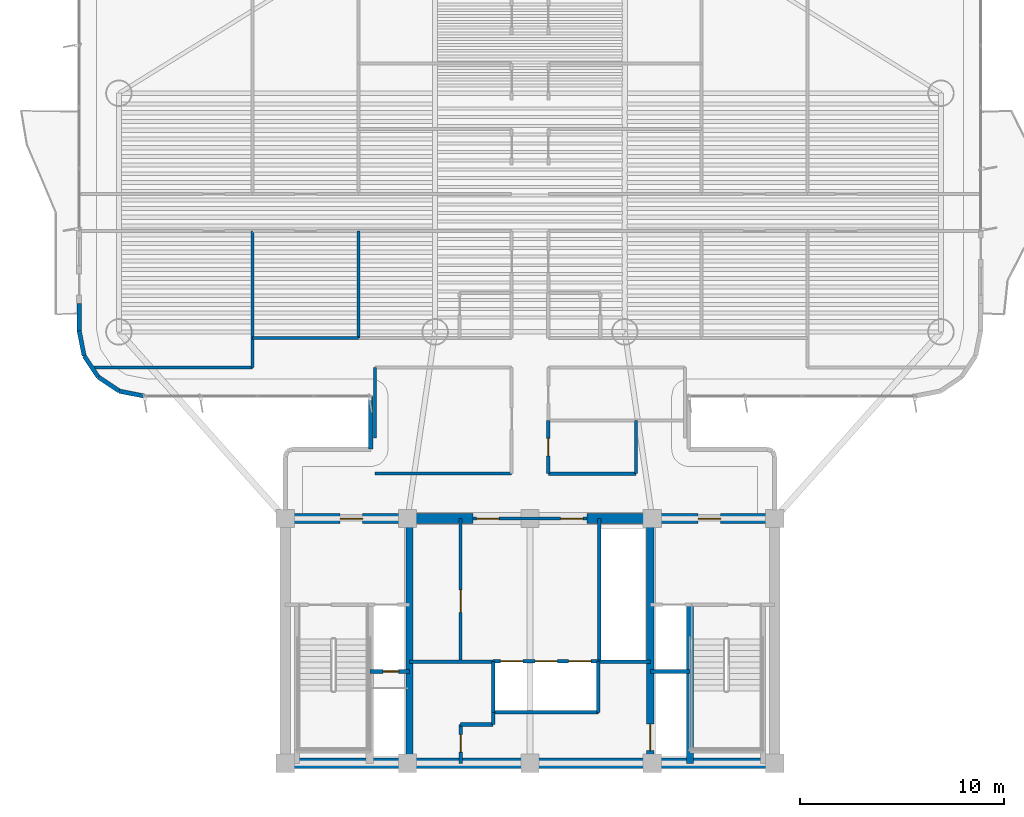
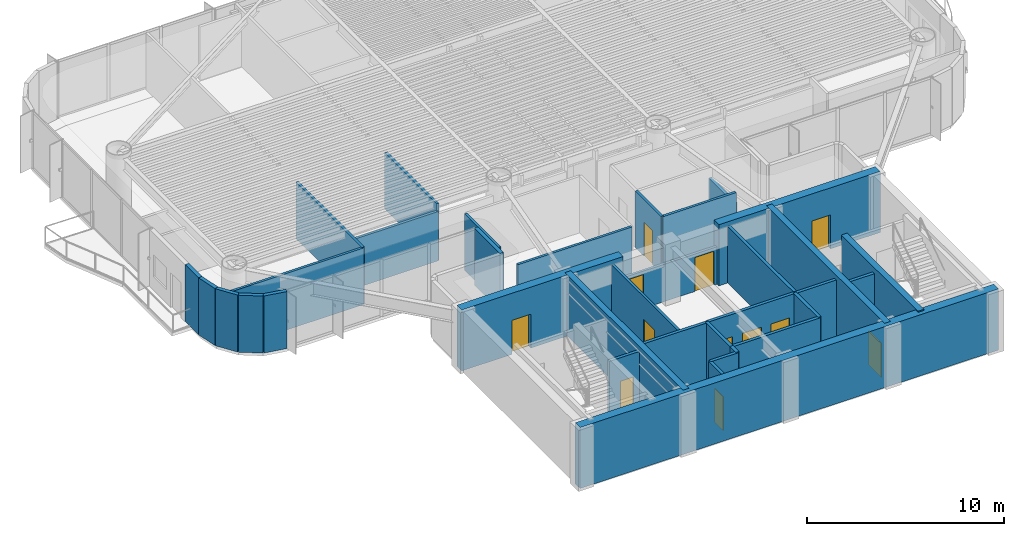
# One storey, part 9 of 16: 35 walls, 12 doors, 12 openings.
"""IFC4 building model written with IfcOpenShell, lengths in metres."""

from ifc_helpers import new_model, si_unit, direction, frame, frame_2d, origin, origin_2d, place, context, subcontext, project, spatial, rectangle, extrude, source, transform, mapped, material, layer, layer_set, type_object, element, fill, save


model = new_model("IFC4")

# Units and contexts
model_context = context("Model", 3, precision=1e-05, world=origin(), true_north=direction((0.0, 1.0)))
body_context = subcontext(model_context, "Body", "Model", "MODEL_VIEW")
ifc_project = project(units=[si_unit("LENGTHUNIT", "METRE"), si_unit("AREAUNIT", "SQUARE_METRE"), si_unit("VOLUMEUNIT", "CUBIC_METRE"), si_unit("PLANEANGLEUNIT", "RADIAN"), si_unit("MASSUNIT", "GRAM", prefix="KILO")], contexts=[model_context])

# Site, building, storey
site_placement = place(None, origin())
site = spatial("IfcSite", under=ifc_project, at=site_placement, CompositionType="ELEMENT")
building_placement = place(site_placement, origin())
building = spatial("IfcBuilding", under=site, at=building_placement, Name="Brelvock Crest Care Tower", CompositionType="ELEMENT")
storey_placement = place(building_placement, frame((0.0, 0.0, 101.159912109375)))
storey = spatial("IfcBuildingStorey", under=building, at=storey_placement, Name="L25", CompositionType="ELEMENT", Elevation=101.159912109375)

# Wall
ifc_material_1 = material(Name="Concrete S80 (80 MPa)", Category="concrete")
ifc_layer_1 = layer(ifc_material_1, 0.5, Name="WL-CS2")
ifc_layer_set_1 = layer_set([ifc_layer_1], Name="Concrete S80 (80 MPa)")
wall_type_1 = type_object("IfcWallType", Name="WL-CS2", PredefinedType="SHEAR", material=ifc_layer_set_1)
wall_1_placement = place(storey_placement, frame((48.25, 6.0, 0.0), z_axis=(0.0, 0.0, 1.0), x_axis=(-1.0, 0.0, 0.0)))
element("IfcWall", 1, at=wall_1_placement, inside=storey, type_object=wall_type_1, Name="L25 Core South Shear Wall", PredefinedType="SHEAR", context=body_context, shape_type="SweptSolid", body=[
    extrude(rectangle(XDim=24.5, YDim=0.5, at=frame_2d((12.25, 0.0))), origin(), (0.0, 0.0, 1.0), 3.780029296875),
])

# Wall, opening, door
wall_2_placement = place(storey_placement, frame((23.75, 18.0, 0.0), z_axis=(0.0, 0.0, 1.0), x_axis=(1.0, 0.0, 0.0)))
wall_2 = element("IfcWall", 2, at=wall_2_placement, inside=storey, type_object=wall_type_1, Name="L25 Core North-West Shear Wall", PredefinedType="SHEAR", context=body_context, shape_type="SweptSolid", body=[
    extrude(rectangle(XDim=9.449951171875, YDim=0.5, at=frame_2d((4.72509765625, 0.0))), origin(), (0.0, 0.0, 1.0), 3.780029296875),
])
opening_1_placement = place(wall_2_placement, frame((2.949951171875, 0.0, 0.0)))
opening_1 = element("IfcOpeningElement", 3, at=opening_1_placement, cuts=wall_2, Name="Opening FD-1", PredefinedType="OPENING", context=body_context, shape_type="SweptSolid", body=[
    extrude(rectangle(XDim=1.10009765625, YDim=2.10009765625, at=origin_2d()), frame((0.550048828125, 0.260009765625, 1.050048828125), z_axis=(0.0, -1.0, 0.0), x_axis=(1.0, 0.0, 0.0)), (0.0, 0.0, 1.0), 0.52001953125),
])
ifc_material_2 = material(Name="Steel Grade 350", Category="steel")
door_type_1 = type_object("IfcDoorType", Name="DR-FFL1", OperationType="NOTDEFINED", PredefinedType="DOOR", material=ifc_material_2)
shared_shape_1 = source(origin(), body_context, "Body", "SweptSolid", [
    extrude(rectangle(XDim=1.10009765625, YDim=2.10009765625, at=origin_2d()), frame((0.550048828125, 0.02490234375, 1.050048828125), z_axis=(0.0, -1.0, 0.0), x_axis=(1.0, 0.0, 0.0)), (0.0, 0.0, 1.0), 0.050048828125),
])
door_1_placement = place(opening_1_placement, origin())
door_1 = element("IfcDoor", 4, at=door_1_placement, inside=storey, type_object=door_type_1, Name="L25 Firefighting Lobby FFL-1 Exit Door", OperationType="SINGLE_SWING_LEFT", OverallHeight=2.10009765625, OverallWidth=1.10009765625, PredefinedType="DOOR", context=body_context, shape_type="MappedRepresentation", body=[
    mapped(shared_shape_1, transform((0.0, 0.0, 0.0), x_axis=(1.0, 0.0, 0.0), y_axis=(0.0, 1.0, 0.0), z_axis=(0.0, 0.0, 1.0), scale=1.0)),
])
fill(opening_1, door_1)

wall_3_placement = place(storey_placement, frame((38.800048828125, 18.0, 0.0), z_axis=(0.0, 0.0, 1.0), x_axis=(1.0, 0.0, 0.0)))
wall_3 = element("IfcWall", 5, at=wall_3_placement, inside=storey, type_object=wall_type_1, Name="L25 Core North-East Shear Wall", PredefinedType="SHEAR", context=body_context, shape_type="SweptSolid", body=[
    extrude(rectangle(XDim=9.449951171875, YDim=0.5, at=frame_2d((4.72509765625, 0.0))), origin(), (0.0, 0.0, 1.0), 3.780029296875),
])
opening_2_placement = place(wall_3_placement, frame((5.449951171875, 0.0, 0.0)))
opening_2 = element("IfcOpeningElement", 6, at=opening_2_placement, cuts=wall_3, Name="Opening FD-1", PredefinedType="OPENING", context=body_context, shape_type="SweptSolid", body=[
    extrude(rectangle(XDim=1.10009765625, YDim=2.10009765625, at=origin_2d()), frame((0.550048828125, 0.260009765625, 1.050048828125), z_axis=(0.0, -1.0, 0.0), x_axis=(1.0, 0.0, 0.0)), (0.0, 0.0, 1.0), 0.52001953125),
])
door_2_placement = place(opening_2_placement, origin())
door_2 = element("IfcDoor", 7, at=door_2_placement, inside=storey, type_object=door_type_1, Name="L25 Firefighting Lobby FFL-2 Exit Door", OperationType="SINGLE_SWING_RIGHT", OverallHeight=2.10009765625, OverallWidth=1.10009765625, PredefinedType="DOOR", context=body_context, shape_type="MappedRepresentation", body=[
    mapped(shared_shape_1, transform((0.0, 0.0, 0.0), x_axis=(1.0, 0.0, 0.0), y_axis=(0.0, 1.0, 0.0), z_axis=(0.0, 0.0, 1.0), scale=1.0)),
])
fill(opening_2, door_2)

# Wall
ifc_layer_2 = layer(ifc_material_1, 0.35009765625, Name="WL-CS5")
ifc_layer_set_2 = layer_set([ifc_layer_2], Name="Concrete S80 (80 MPa)")
wall_type_2 = type_object("IfcWallType", Name="WL-CS5", PredefinedType="SHEAR", material=ifc_layer_set_2)
wall_4_placement = place(storey_placement, frame((30.10009765625, 6.0, 0.0), z_axis=(0.0, 0.0, 1.0), x_axis=(0.0, 1.0, 0.0)))
element("IfcWall", 8, at=wall_4_placement, inside=storey, type_object=wall_type_2, Name="L25 Core Internal Web Wall West", PredefinedType="SHEAR", context=body_context, shape_type="SweptSolid", body=[
    extrude(rectangle(XDim=12.0, YDim=0.35009765625, at=frame_2d((6.0, 0.0))), origin(), (0.0, 0.0, 1.0), 3.780029296875),
])

# Wall, opening, door
wall_5_placement = place(storey_placement, frame((41.89990234375, 18.0, 0.0), z_axis=(0.0, 0.0, 1.0), x_axis=(0.0, -1.0, 0.0)))
wall_5 = element("IfcWall", 9, at=wall_5_placement, inside=storey, type_object=wall_type_2, Name="L25 Core Internal Web Wall East", PredefinedType="SHEAR", context=body_context, shape_type="SweptSolid", body=[
    extrude(rectangle(XDim=12.0, YDim=0.35009765625, at=frame_2d((6.0, 0.0))), origin(), (0.0, 0.0, 1.0), 3.780029296875),
])
opening_3_placement = place(wall_5_placement, frame((10.080078125, 0.0, 0.0)))
opening_3 = element("IfcOpeningElement", 10, at=opening_3_placement, cuts=wall_5, Name="Opening LD-S", PredefinedType="OPENING", context=body_context, shape_type="SweptSolid", body=[
    extrude(rectangle(XDim=1.300048828125, YDim=2.10009765625, at=origin_2d()), frame((0.64990234375, 0.18505859375, 1.050048828125), z_axis=(0.0, -1.0, 0.0), x_axis=(1.0, 0.0, 0.0)), (0.0, 0.0, 1.0), 0.3701171875),
])
door_type_2 = type_object("IfcDoorType", Name="DR-LDS1", OperationType="NOTDEFINED", PredefinedType="DOOR", material=ifc_material_2)
shared_shape_2 = source(origin(), body_context, "Body", "SweptSolid", [
    extrude(rectangle(XDim=1.300048828125, YDim=2.10009765625, at=origin_2d()), frame((0.64990234375, 0.02490234375, 1.050048828125), z_axis=(0.0, -1.0, 0.0), x_axis=(1.0, 0.0, 0.0)), (0.0, 0.0, 1.0), 0.050048828125),
])
door_3_placement = place(opening_3_placement, origin())
door_3 = element("IfcDoor", 11, at=door_3_placement, inside=storey, type_object=door_type_2, Name="L25 Clinical Bed Lift SL-1 Landing Door", OperationType="SLIDING_TO_LEFT", OverallHeight=2.10009765625, OverallWidth=1.300048828125, PredefinedType="DOOR", context=body_context, shape_type="MappedRepresentation", body=[
    mapped(shared_shape_2, transform((0.0, 0.0, 0.0), x_axis=(1.0, 0.0, 0.0), y_axis=(0.0, 1.0, 0.0), z_axis=(0.0, 0.0, 1.0), scale=1.0)),
])
fill(opening_3, door_3)

# Walls
wall_6_placement = place(storey_placement, frame((43.85009765625, 6.0, 0.0), z_axis=(0.0, 0.0, 1.0), x_axis=(0.0, 1.0, 0.0)))
element("IfcWall", 12, at=wall_6_placement, inside=storey, type_object=wall_type_2, Name="L25 Core Stair ST-2 West Shear Wall", PredefinedType="SHEAR", context=body_context, shape_type="SweptSolid", body=[
    extrude(rectangle(XDim=7.780029296875, YDim=0.35009765625, at=frame_2d((3.89013671875, 0.0))), origin(), (0.0, 0.0, 1.0), 3.85009765625),
])
ifc_material_3 = material(Name="Precast concrete N40 (40 MPa)", Category="concrete")
ifc_layer_3 = layer(ifc_material_3, 0.215087890625, Name="WL-EX2")
ifc_layer_set_3 = layer_set([ifc_layer_3], Name="Precast concrete N40 (40 MPa)")
wall_type_3 = type_object("IfcWallType", Name="WL-EX2", PredefinedType="SOLIDWALL", material=ifc_layer_set_3)
wall_7_placement = place(storey_placement, frame((28.199951171875, 21.39990234375, 0.0), z_axis=(0.0, 0.0, 1.0), x_axis=(0.0, 1.0, 0.0)))
element("IfcWall", 13, at=wall_7_placement, inside=storey, type_object=wall_type_3, Name="L25 Rounded Corner Wall 11", PredefinedType="SOLIDWALL", context=body_context, shape_type="SweptSolid", body=[
    extrude(rectangle(XDim=2.60009765625, YDim=0.215087890625, at=frame_2d((1.300048828125, 0.0))), origin(), (0.0, 0.0, 1.0), 3.530029296875),
])
for number, where, z_axis, x_axis, name in (
    (14, (17.10009765625, 24.0, 0.0), (0.0, 0.0, 1.0), (-0.980775717779, 0.195138390419, 0.0), "L25 Rounded Corner Wall 13"),
    (15, (15.87548828125, 24.24365234375, 0.0), (0.0, 0.0, 1.0), (-0.831478245117, 0.555557312883, 0.0), "L25 Rounded Corner Wall 14"),
    (16, (14.83740234375, 24.937255859375, 0.0), (0.0, 0.0, 1.0), (-0.555692485475, 0.831387912822, 0.0), "L25 Rounded Corner Wall 15"),
    (17, (14.1435546875, 25.975341796875, 0.0), (0.0, 0.0, 1.0), (-0.195138390419, 0.980775717779, 0.0), "L25 Rounded Corner Wall 16"),
):
    element("IfcWall", number, at=place(storey_placement, frame(where, z_axis=z_axis, x_axis=x_axis)), inside=storey, type_object=wall_type_3, Name=name, PredefinedType="SOLIDWALL", context=body_context, shape_type="SweptSolid", body=[
        extrude(rectangle(XDim=1.24853515625, YDim=0.215087890625, at=frame_2d((0.624267578125, 0.0))), origin(), (0.0, 0.0, 1.0), 3.530029296875),
    ])
wall_8_placement = place(storey_placement, frame((13.89990234375, 27.199951171875, 0.0), z_axis=(0.0, 0.0, 1.0), x_axis=(0.0, 1.0, 0.0)))
element("IfcWall", 18, at=wall_8_placement, inside=storey, type_object=wall_type_3, Name="L25 Exterior Spandrel Pier E17A", PredefinedType="SOLIDWALL", context=body_context, shape_type="SweptSolid", body=[
    extrude(rectangle(XDim=1.35009765625, YDim=0.215087890625, at=frame_2d((0.675048828125, 0.0))), origin(), (0.0, 0.0, 1.0), 3.530029296875),
])

# Wall, opening, door
ifc_material_4 = material(Name="Masonry Blockwork Acoustic Partition", Category="masonry")
ifc_layer_4 = layer(ifc_material_4, 0.14990234375, Name="WL-INT1")
ifc_layer_set_4 = layer_set([ifc_layer_4], Name="Masonry Blockwork Acoustic Partition")
wall_type_4 = type_object("IfcWallType", Name="WL-INT1", PredefinedType="PARTITIONING", material=ifc_layer_set_4)
wall_9_placement = place(storey_placement, frame((32.60009765625, 11.0, 0.0), z_axis=(0.0, 0.0, 1.0), x_axis=(0.0, 1.0, 0.0)))
wall_9 = element("IfcWall", 19, at=wall_9_placement, inside=storey, type_object=wall_type_4, Name="L25 Interior Wall WL-CRCL-E-L25", PredefinedType="PARTITIONING", context=body_context, shape_type="SweptSolid", body=[
    extrude(rectangle(XDim=7.0, YDim=0.14990234375, at=frame_2d((3.5, 0.0))), origin(), (0.0, 0.0, 1.0), 3.5),
])
opening_4_placement = place(wall_9_placement, frame((2.39990234375, 0.0, 0.0)))
opening_4 = element("IfcOpeningElement", 20, at=opening_4_placement, cuts=wall_9, Name="Opening PD-1", PredefinedType="OPENING", context=body_context, shape_type="SweptSolid", body=[
    extrude(rectangle(XDim=1.10009765625, YDim=2.10009765625, at=origin_2d()), frame((0.550048828125, 0.0849609375, 1.050048828125), z_axis=(0.0, -1.0, 0.0), x_axis=(1.0, 0.0, 0.0)), (0.0, 0.0, 1.0), 0.169921875),
])
door_type_3 = type_object("IfcDoorType", Name="DR-PLT1", OperationType="NOTDEFINED", PredefinedType="DOOR", material=ifc_material_2)
shared_shape_3 = source(origin(), body_context, "Body", "SweptSolid", [
    extrude(rectangle(XDim=1.10009765625, YDim=2.10009765625, at=origin_2d()), frame((0.550048828125, 0.02490234375, 1.050048828125), z_axis=(0.0, -1.0, 0.0), x_axis=(1.0, 0.0, 0.0)), (0.0, 0.0, 1.0), 0.050048828125),
])
door_4_placement = place(opening_4_placement, origin())
door_4 = element("IfcDoor", 21, at=door_4_placement, inside=storey, type_object=door_type_3, Name="DR-CRCL1-L25", OperationType="SINGLE_SWING_LEFT", OverallHeight=2.10009765625, OverallWidth=1.10009765625, PredefinedType="DOOR", context=body_context, shape_type="MappedRepresentation", body=[
    mapped(shared_shape_3, transform((0.0, 0.0, 0.0), x_axis=(1.0, 0.0, 0.0), y_axis=(0.0, 1.0, 0.0), z_axis=(0.0, 0.0, 1.0), scale=1.0)),
])
fill(opening_4, door_4)

# Wall, openings, doors
wall_10_placement = place(storey_placement, frame((33.199951171875, 18.0, 0.0), z_axis=(0.0, 0.0, 1.0), x_axis=(1.0, 0.0, 0.0)))
wall_10 = element("IfcWall", 22, at=wall_10_placement, inside=storey, type_object=wall_type_4, Name="L25 Interior Wall WL-CORE-NPORT-L25", PredefinedType="PARTITIONING", context=body_context, shape_type="SweptSolid", body=[
    extrude(rectangle(XDim=5.60009765625, YDim=0.14990234375, at=frame_2d((2.800048828125, 0.0))), origin(), (0.0, 0.0, 1.0), 2.315185546875),
])
opening_5_placement = place(wall_10_placement, frame((0.18994140625, 0.0, 0.0)))
opening_5 = element("IfcOpeningElement", 23, at=opening_5_placement, cuts=wall_10, Name="Opening FD-1", PredefinedType="OPENING", context=body_context, shape_type="SweptSolid", body=[
    extrude(rectangle(XDim=1.10009765625, YDim=2.10009765625, at=origin_2d()), frame((0.550048828125, 0.0849609375, 1.050048828125), z_axis=(0.0, -1.0, 0.0), x_axis=(1.0, 0.0, 0.0)), (0.0, 0.0, 1.0), 0.169921875),
])
opening_6_placement = place(wall_10_placement, frame((4.31005859375, 0.0, 0.0)))
opening_6 = element("IfcOpeningElement", 24, at=opening_6_placement, cuts=wall_10, Name="Opening FD-1", PredefinedType="OPENING", context=body_context, shape_type="SweptSolid", body=[
    extrude(rectangle(XDim=1.10009765625, YDim=2.10009765625, at=origin_2d()), frame((0.550048828125, 0.0849609375, 1.050048828125), z_axis=(0.0, -1.0, 0.0), x_axis=(1.0, 0.0, 0.0)), (0.0, 0.0, 1.0), 0.169921875),
])
door_5_placement = place(opening_5_placement, origin())
door_5 = element("IfcDoor", 25, at=door_5_placement, inside=storey, type_object=door_type_1, Name="L25 Lift Lobby North Smoke Door West", OperationType="SINGLE_SWING_LEFT", OverallHeight=2.10009765625, OverallWidth=1.10009765625, PredefinedType="DOOR", context=body_context, shape_type="MappedRepresentation", body=[
    mapped(shared_shape_1, transform((0.0, 0.0, 0.0), x_axis=(1.0, 0.0, 0.0), y_axis=(0.0, 1.0, 0.0), z_axis=(0.0, 0.0, 1.0), scale=1.0)),
])
fill(opening_5, door_5)
door_6_placement = place(opening_6_placement, origin())
door_6 = element("IfcDoor", 26, at=door_6_placement, inside=storey, type_object=door_type_1, Name="L25 Lift Lobby North Smoke Door East", OperationType="SINGLE_SWING_RIGHT", OverallHeight=2.10009765625, OverallWidth=1.10009765625, PredefinedType="DOOR", context=body_context, shape_type="MappedRepresentation", body=[
    mapped(shared_shape_1, transform((0.0, 0.0, 0.0), x_axis=(1.0, 0.0, 0.0), y_axis=(0.0, 1.0, 0.0), z_axis=(0.0, 0.0, 1.0), scale=1.0)),
])
fill(opening_6, door_6)

# Walls
wall_11_placement = place(storey_placement, frame((28.39990234375, 20.199951171875, 0.0), z_axis=(0.0, 0.0, 1.0), x_axis=(1.0, 0.0, 0.0)))
element("IfcWall", 27, at=wall_11_placement, inside=storey, type_object=wall_type_4, Name="L25 Interior Wall WL-BX-L25-THW-S", PredefinedType="PARTITIONING", context=body_context, shape_type="SweptSolid", body=[
    extrude(rectangle(XDim=6.7001953125, YDim=0.14990234375, at=frame_2d((3.35009765625, 0.0))), origin(), (0.0, 0.0, 1.0), 3.5),
])
wall_12_placement = place(storey_placement, frame((14.624267578125, 25.39990234375, 0.0), z_axis=(0.0, 0.0, 1.0), x_axis=(1.0, 0.0, 0.0)))
element("IfcWall", 28, at=wall_12_placement, inside=storey, type_object=wall_type_4, Name="L25 Interior Wall WL-BX-L25-SWB-S2", PredefinedType="PARTITIONING", context=body_context, shape_type="SweptSolid", body=[
    extrude(rectangle(XDim=7.775634765625, YDim=0.14990234375, at=frame_2d((3.8876953125, 0.0))), origin(), (0.0, 0.0, 1.0), 3.5),
])
wall_13_placement = place(storey_placement, frame((22.39990234375, 26.85009765625, 0.0), z_axis=(0.0, 0.0, 1.0), x_axis=(1.0, 0.0, 0.0)))
element("IfcWall", 29, at=wall_13_placement, inside=storey, type_object=wall_type_4, Name="L25 Interior Wall WL-BX-L25-ISWD-S", PredefinedType="PARTITIONING", context=body_context, shape_type="SweptSolid", body=[
    extrude(rectangle(XDim=5.2001953125, YDim=0.14990234375, at=frame_2d((2.60009765625, 0.0))), origin(), (0.0, 0.0, 1.0), 3.05517578125),
])
wall_14_placement = place(storey_placement, frame((22.39990234375, 25.39990234375, 0.0), z_axis=(0.0, 0.0, 1.0), x_axis=(0.0, 1.0, 0.0)))
element("IfcWall", 30, at=wall_14_placement, inside=storey, type_object=wall_type_4, Name="L25 Interior Wall WL-BX-L25-SWB-E", PredefinedType="PARTITIONING", context=body_context, shape_type="SweptSolid", body=[
    extrude(rectangle(XDim=6.7001953125, YDim=0.14990234375, at=frame_2d((3.35009765625, 0.0))), origin(), (0.0, 0.0, 1.0), 3.5),
])
wall_15_placement = place(storey_placement, frame((27.60009765625, 26.85009765625, 0.0), z_axis=(0.0, 0.0, 1.0), x_axis=(0.0, 1.0, 0.0)))
element("IfcWall", 31, at=wall_15_placement, inside=storey, type_object=wall_type_4, Name="L25 Interior Wall WL-BX-L25-CS-ISWC-W", PredefinedType="PARTITIONING", context=body_context, shape_type="SweptSolid", body=[
    extrude(rectangle(XDim=5.25, YDim=0.14990234375, at=frame_2d((2.625, 0.0))), origin(), (0.0, 0.0, 1.0), 3.5),
])
wall_16_placement = place(storey_placement, frame((28.39990234375, 21.957275390625, 0.0), z_axis=(0.0, 0.0, 1.0), x_axis=(0.0, 1.0, 0.0)))
element("IfcWall", 32, at=wall_16_placement, inside=storey, type_object=wall_type_4, Name="L25 Interior Wall WL-BX-L25-THW-W2", PredefinedType="PARTITIONING", context=body_context, shape_type="SweptSolid", body=[
    extrude(rectangle(XDim=3.442626953125, YDim=0.14990234375, at=frame_2d((1.72119140625, 0.0))), origin(), (0.0, 0.0, 1.0), 3.5),
])
ifc_material_5 = material(Name="Gypsum Plasterboard Partition", Category="gypsum")
ifc_layer_5 = layer(ifc_material_5, 0.159912109375, Name="WL-PLM1")
ifc_layer_set_5 = layer_set([ifc_layer_5], Name="Gypsum Plasterboard Partition")
wall_type_5 = type_object("IfcWallType", Name="WL-PLM1", PredefinedType="PLUMBINGWALL", material=ifc_layer_set_5)
wall_17_placement = place(storey_placement, frame((36.89990234375, 20.199951171875, 0.0), z_axis=(0.0, 0.0, 1.0), x_axis=(1.0, 0.0, 0.0)))
element("IfcWall", 33, at=wall_17_placement, inside=storey, type_object=wall_type_5, Name="L25 Interior Wall WL-BX-L25-THE1-S", PredefinedType="PLUMBINGWALL", context=body_context, shape_type="SweptSolid", body=[
    extrude(rectangle(XDim=4.300048828125, YDim=0.159912109375, at=frame_2d((2.14990234375, 0.0))), origin(), (0.0, 0.0, 1.0), 3.5),
])

# Wall, opening, door
wall_18_placement = place(storey_placement, frame((36.89990234375, 20.199951171875, 0.0), z_axis=(0.0, 0.0, 1.0), x_axis=(0.0, 1.0, 0.0)))
wall_18 = element("IfcWall", 34, at=wall_18_placement, inside=storey, type_object=wall_type_5, Name="L25 Interior Wall WL-RM-L25-THE1", PredefinedType="PLUMBINGWALL", context=body_context, shape_type="SweptSolid", body=[
    extrude(rectangle(XDim=2.60009765625, YDim=0.159912109375, at=frame_2d((1.300048828125, 0.0))), origin(), (0.0, 0.0, 1.0), 3.5),
])
opening_7_placement = place(wall_18_placement, frame((0.8701171875, 0.0, 0.0)))
opening_7 = element("IfcOpeningElement", 35, at=opening_7_placement, cuts=wall_18, Name="Opening WD-1", PredefinedType="OPENING", context=body_context, shape_type="SweptSolid", body=[
    extrude(rectangle(XDim=0.860107421875, YDim=2.10009765625, at=origin_2d()), frame((0.43017578125, 0.08984375, 1.050048828125), z_axis=(0.0, -1.0, 0.0), x_axis=(1.0, 0.0, 0.0)), (0.0, 0.0, 1.0), 0.179931640625),
])
ifc_material_6 = material(Name="Engineered Hardwood Timber", Category="wood")
door_type_4 = type_object("IfcDoorType", Name="DR-WC1", OperationType="NOTDEFINED", PredefinedType="DOOR", material=ifc_material_6)
shared_shape_4 = source(origin(), body_context, "Body", "SweptSolid", [
    extrude(rectangle(XDim=0.860107421875, YDim=2.10009765625, at=origin_2d()), frame((0.43017578125, 0.02490234375, 1.050048828125), z_axis=(0.0, -1.0, 0.0), x_axis=(1.0, 0.0, 0.0)), (0.0, 0.0, 1.0), 0.050048828125),
])
door_7_placement = place(opening_7_placement, origin())
door_7 = element("IfcDoor", 36, at=door_7_placement, inside=storey, type_object=door_type_4, Name="L25 Floor Accessible WC Door THE1", OperationType="SINGLE_SWING_LEFT", OverallHeight=2.10009765625, OverallWidth=0.860107421875, PredefinedType="DOOR", context=body_context, shape_type="MappedRepresentation", body=[
    mapped(shared_shape_4, transform((0.0, 0.0, 0.0), x_axis=(1.0, 0.0, 0.0), y_axis=(0.0, 1.0, 0.0), z_axis=(0.0, 0.0, 1.0), scale=1.0)),
])
fill(opening_7, door_7)

# Walls
wall_19_placement = place(storey_placement, frame((41.199951171875, 20.199951171875, 0.0), z_axis=(0.0, 0.0, 1.0), x_axis=(0.0, 1.0, 0.0)))
element("IfcWall", 37, at=wall_19_placement, inside=storey, type_object=wall_type_5, Name="L25 Interior Wall WL-BX-L25-THE1-E", PredefinedType="PLUMBINGWALL", context=body_context, shape_type="SweptSolid", body=[
    extrude(rectangle(XDim=2.60009765625, YDim=0.159912109375, at=frame_2d((1.300048828125, 0.0))), origin(), (0.0, 0.0, 1.0), 2.815185546875),
])
ifc_layer_6 = layer(ifc_material_4, 0.179931640625, Name="WL-SHF1")
ifc_layer_set_6 = layer_set([ifc_layer_6], Name="Masonry Blockwork Acoustic Partition")
wall_type_6 = type_object("IfcWallType", Name="WL-SHF1", PredefinedType="PARTITIONING", material=ifc_layer_set_6)
wall_20_placement = place(storey_placement, frame((34.199951171875, 8.5, 0.0), z_axis=(0.0, 0.0, 1.0), x_axis=(1.0, 0.0, 0.0)))
element("IfcWall", 38, at=wall_20_placement, inside=storey, type_object=wall_type_6, Name="L25 Interior Wall WL-PLM-S-L25", PredefinedType="PARTITIONING", context=body_context, shape_type="SweptSolid", body=[
    extrude(rectangle(XDim=5.150146484375, YDim=0.179931640625, at=frame_2d((2.5751953125, 0.0))), origin(), (0.0, 0.0, 1.0), 3.5),
])
for number, where, z_axis, x_axis, name in (
    (39, (34.199951171875, 8.5, 0.0), (0.0, 0.0, 1.0), (0.0, 1.0, 0.0), "L25 Interior Wall WL-PLM-W-L25"),
    (40, (39.35009765625, 8.5, 0.0), (0.0, 0.0, 1.0), (0.0, 1.0, 0.0), "L25 Interior Wall WL-PLM-E-L25"),
):
    element("IfcWall", number, at=place(storey_placement, frame(where, z_axis=z_axis, x_axis=x_axis)), inside=storey, type_object=wall_type_6, Name=name, PredefinedType="PARTITIONING", context=body_context, shape_type="SweptSolid", body=[
        extrude(rectangle(XDim=2.5, YDim=0.179931640625, at=frame_2d((1.25, 0.0))), origin(), (0.0, 0.0, 1.0), 3.5),
    ])
wall_21_placement = place(storey_placement, frame((39.39990234375, 11.0, 0.0), z_axis=(0.0, 0.0, 1.0), x_axis=(0.0, 1.0, 0.0)))
element("IfcWall", 41, at=wall_21_placement, inside=storey, type_object=wall_type_6, Name="L25 Interior Wall WL-PLH-SHF-L25", PredefinedType="PARTITIONING", context=body_context, shape_type="SweptSolid", body=[
    extrude(rectangle(XDim=7.0, YDim=0.179931640625, at=frame_2d((3.5, 0.0))), origin(), (0.0, 0.0, 1.0), 3.5),
])
wall_22_placement = place(storey_placement, frame((30.10009765625, 10.97998046875, 0.0), z_axis=(0.0, 0.0, 1.0), x_axis=(1.0, 0.0, 0.0)))
element("IfcWall", 42, at=wall_22_placement, inside=storey, type_object=wall_type_6, Name="L25 Interior Wall WL-CSBW-N-L25", PredefinedType="PARTITIONING", context=body_context, shape_type="SweptSolid", body=[
    extrude(rectangle(XDim=4.079833984375, YDim=0.179931640625, at=frame_2d((2.0400390625, 0.0))), origin(), (0.0, 0.0, 1.0), 3.5),
])
wall_23_placement = place(storey_placement, frame((34.199951171875, 7.89990234375, 0.0), z_axis=(0.0, 0.0, 1.0), x_axis=(0.0, 1.0, 0.0)))
element("IfcWall", 43, at=wall_23_placement, inside=storey, type_object=wall_type_6, Name="L25 Interior Wall WL-CSBW-E2-L25", PredefinedType="PARTITIONING", context=body_context, shape_type="SweptSolid", body=[
    extrude(rectangle(XDim=0.60009765625, YDim=0.179931640625, at=frame_2d((0.300048828125, 0.0))), origin(), (0.0, 0.0, 1.0), 3.5),
])
wall_24_placement = place(storey_placement, frame((32.60009765625, 7.89990234375, 0.0), z_axis=(0.0, 0.0, 1.0), x_axis=(1.0, 0.0, 0.0)))
element("IfcWall", 44, at=wall_24_placement, inside=storey, type_object=wall_type_6, Name="L25 Interior Wall WL-CSBW-S2-L25", PredefinedType="PARTITIONING", context=body_context, shape_type="SweptSolid", body=[
    extrude(rectangle(XDim=1.599853515625, YDim=0.179931640625, at=frame_2d((0.7998046875, 0.0))), origin(), (0.0, 0.0, 1.0), 3.5),
])

# Wall, opening, door
wall_25_placement = place(storey_placement, frame((32.60009765625, 6.0, 0.0), z_axis=(0.0, 0.0, 1.0), x_axis=(0.0, 1.0, 0.0)))
wall_25 = element("IfcWall", 45, at=wall_25_placement, inside=storey, type_object=wall_type_6, Name="L25 Interior Wall WL-CSBW-E1-L25", PredefinedType="PARTITIONING", context=body_context, shape_type="SweptSolid", body=[
    extrude(rectangle(XDim=1.89990234375, YDim=0.179931640625, at=frame_2d((0.949951171875, 0.0))), origin(), (0.0, 0.0, 1.0), 3.5),
])
opening_8_placement = place(wall_25_placement, frame((0.550048828125, 0.0, 0.0)))
opening_8 = element("IfcOpeningElement", 46, at=opening_8_placement, cuts=wall_25, Name="Opening ID-1", PredefinedType="OPENING", context=body_context, shape_type="SweptSolid", body=[
    extrude(rectangle(XDim=0.860107421875, YDim=2.10009765625, at=origin_2d()), frame((0.43017578125, 0.10009765625, 1.050048828125), z_axis=(0.0, -1.0, 0.0), x_axis=(1.0, 0.0, 0.0)), (0.0, 0.0, 1.0), 0.199951171875),
])
door_type_5 = type_object("IfcDoorType", Name="DR-INT1", OperationType="NOTDEFINED", PredefinedType="DOOR", material=ifc_material_6)
shared_shape_5 = source(origin(), body_context, "Body", "SweptSolid", [
    extrude(rectangle(XDim=0.860107421875, YDim=2.10009765625, at=origin_2d()), frame((0.43017578125, 0.02490234375, 1.050048828125), z_axis=(0.0, -1.0, 0.0), x_axis=(1.0, 0.0, 0.0)), (0.0, 0.0, 1.0), 0.050048828125),
])
door_8_placement = place(opening_8_placement, origin())
door_8 = element("IfcDoor", 47, at=door_8_placement, inside=storey, type_object=door_type_5, Name="DR-CSBW-L25", OperationType="SINGLE_SWING_LEFT", OverallHeight=2.10009765625, OverallWidth=0.860107421875, PredefinedType="DOOR", context=body_context, shape_type="MappedRepresentation", body=[
    mapped(shared_shape_5, transform((0.0, 0.0, 0.0), x_axis=(1.0, 0.0, 0.0), y_axis=(0.0, 1.0, 0.0), z_axis=(0.0, 0.0, 1.0), scale=1.0)),
])
fill(opening_8, door_8)

# Wall
wall_26_placement = place(storey_placement, frame((39.35009765625, 10.97998046875, 0.0), z_axis=(0.0, 0.0, 1.0), x_axis=(1.0, 0.0, 0.0)))
element("IfcWall", 48, at=wall_26_placement, inside=storey, type_object=wall_type_6, Name="L25 Interior Wall WL-CSBE-N-L25", PredefinedType="PARTITIONING", context=body_context, shape_type="SweptSolid", body=[
    extrude(rectangle(XDim=2.5498046875, YDim=0.179931640625, at=frame_2d((1.27490234375, 0.0))), origin(), (0.0, 0.0, 1.0), 3.5),
])

# Wall, opening, door
wall_27_placement = place(storey_placement, frame((28.14990234375, 10.5, 0.0), z_axis=(0.0, 0.0, 1.0), x_axis=(1.0, 0.0, 0.0)))
wall_27 = element("IfcWall", 49, at=wall_27_placement, inside=storey, type_object=wall_type_6, Name="L25 Interior Wall WL-FFH1-S-L25", PredefinedType="PARTITIONING", context=body_context, shape_type="SweptSolid", body=[
    extrude(rectangle(XDim=1.9501953125, YDim=0.179931640625, at=frame_2d((0.97509765625, 0.0))), origin(), (0.0, 0.0, 1.0), 3.5),
])
opening_9_placement = place(wall_27_placement, frame((0.64990234375, 0.0, 0.0)))
opening_9 = element("IfcOpeningElement", 50, at=opening_9_placement, cuts=wall_27, Name="Opening RD-1", PredefinedType="OPENING", context=body_context, shape_type="SweptSolid", body=[
    extrude(rectangle(XDim=0.760009765625, YDim=2.050048828125, at=origin_2d()), frame((0.3798828125, 0.10009765625, 1.02490234375), z_axis=(0.0, -1.0, 0.0), x_axis=(1.0, 0.0, 0.0)), (0.0, 0.0, 1.0), 0.199951171875),
])
door_type_6 = type_object("IfcDoorType", Name="DR-RIS1", OperationType="NOTDEFINED", PredefinedType="DOOR", material=ifc_material_2)
shared_shape_6 = source(origin(), body_context, "Body", "SweptSolid", [
    extrude(rectangle(XDim=0.760009765625, YDim=2.050048828125, at=origin_2d()), frame((0.3798828125, 0.02490234375, 1.02490234375), z_axis=(0.0, -1.0, 0.0), x_axis=(1.0, 0.0, 0.0)), (0.0, 0.0, 1.0), 0.050048828125),
])
door_9_placement = place(opening_9_placement, origin())
door_9 = element("IfcDoor", 51, at=door_9_placement, inside=storey, type_object=door_type_6, Name="L25 Wet Fire Riser Access Door", OperationType="SINGLE_SWING_LEFT", OverallHeight=2.050048828125, OverallWidth=0.760009765625, PredefinedType="DOOR", context=body_context, shape_type="MappedRepresentation", body=[
    mapped(shared_shape_6, transform((0.0, 0.0, 0.0), x_axis=(1.0, 0.0, 0.0), y_axis=(0.0, 1.0, 0.0), z_axis=(0.0, 0.0, 1.0), scale=1.0)),
])
fill(opening_9, door_9)

# Wall
wall_28_placement = place(storey_placement, frame((41.89990234375, 10.5, 0.0), z_axis=(0.0, 0.0, 1.0), x_axis=(1.0, 0.0, 0.0)))
element("IfcWall", 52, at=wall_28_placement, inside=storey, type_object=wall_type_6, Name="L25 Interior Wall WL-FFH2-S-L25", PredefinedType="PARTITIONING", context=body_context, shape_type="SweptSolid", body=[
    extrude(rectangle(XDim=1.9501953125, YDim=0.179931640625, at=frame_2d((0.97509765625, 0.0))), origin(), (0.0, 0.0, 1.0), 3.5),
])

# Wall, openings, doors
wall_29_placement = place(storey_placement, frame((34.199951171875, 11.0, 0.0), z_axis=(0.0, 0.0, 1.0), x_axis=(1.0, 0.0, 0.0)))
wall_29 = element("IfcWall", 53, at=wall_29_placement, inside=storey, type_object=wall_type_6, Name="L25 Interior Wall WL-PLM-BANK-L25", PredefinedType="PARTITIONING", context=body_context, shape_type="SweptSolid", body=[
    extrude(rectangle(XDim=5.150146484375, YDim=0.179931640625, at=frame_2d((2.5751953125, 0.0))), origin(), (0.0, 0.0, 1.0), 3.5),
])
opening_10_placement = place(wall_29_placement, frame((0.35009765625, 0.0, 0.0)))
opening_10 = element("IfcOpeningElement", 54, at=opening_10_placement, cuts=wall_29, Name="Opening LD", PredefinedType="OPENING", context=body_context, shape_type="SweptSolid", body=[
    extrude(rectangle(XDim=1.10009765625, YDim=2.10009765625, at=origin_2d()), frame((0.550048828125, 0.10009765625, 1.050048828125), z_axis=(0.0, -1.0, 0.0), x_axis=(1.0, 0.0, 0.0)), (0.0, 0.0, 1.0), 0.199951171875),
])
opening_11_placement = place(wall_29_placement, frame((2.050048828125, 0.0, 0.0)))
opening_11 = element("IfcOpeningElement", 55, at=opening_11_placement, cuts=wall_29, Name="Opening LD", PredefinedType="OPENING", context=body_context, shape_type="SweptSolid", body=[
    extrude(rectangle(XDim=1.10009765625, YDim=2.10009765625, at=origin_2d()), frame((0.550048828125, 0.10009765625, 1.050048828125), z_axis=(0.0, -1.0, 0.0), x_axis=(1.0, 0.0, 0.0)), (0.0, 0.0, 1.0), 0.199951171875),
])
opening_12_placement = place(wall_29_placement, frame((3.699951171875, 0.0, 0.0)))
opening_12 = element("IfcOpeningElement", 56, at=opening_12_placement, cuts=wall_29, Name="Opening LD", PredefinedType="OPENING", context=body_context, shape_type="SweptSolid", body=[
    extrude(rectangle(XDim=1.10009765625, YDim=2.10009765625, at=origin_2d()), frame((0.550048828125, 0.10009765625, 1.050048828125), z_axis=(0.0, -1.0, 0.0), x_axis=(1.0, 0.0, 0.0)), (0.0, 0.0, 1.0), 0.199951171875),
])
door_type_7 = type_object("IfcDoorType", Name="DR-LD1", OperationType="NOTDEFINED", PredefinedType="DOOR", material=ifc_material_2)
shared_shape_7 = source(origin(), body_context, "Body", "SweptSolid", [
    extrude(rectangle(XDim=1.10009765625, YDim=2.10009765625, at=origin_2d()), frame((0.550048828125, 0.02490234375, 1.050048828125), z_axis=(0.0, -1.0, 0.0), x_axis=(1.0, 0.0, 0.0)), (0.0, 0.0, 1.0), 0.050048828125),
])
door_10_placement = place(opening_10_placement, origin())
door_10 = element("IfcDoor", 57, at=door_10_placement, inside=storey, type_object=door_type_7, Name="L25 Lift PL-M1 Landing Door", OperationType="SLIDING_TO_LEFT", OverallHeight=2.10009765625, OverallWidth=1.10009765625, PredefinedType="DOOR", context=body_context, shape_type="MappedRepresentation", body=[
    mapped(shared_shape_7, transform((0.0, 0.0, 0.0), x_axis=(1.0, 0.0, 0.0), y_axis=(0.0, 1.0, 0.0), z_axis=(0.0, 0.0, 1.0), scale=1.0)),
])
fill(opening_10, door_10)
door_11_placement = place(opening_11_placement, origin())
door_11 = element("IfcDoor", 58, at=door_11_placement, inside=storey, type_object=door_type_7, Name="L25 Lift PL-M2 Landing Door", OperationType="SLIDING_TO_LEFT", OverallHeight=2.10009765625, OverallWidth=1.10009765625, PredefinedType="DOOR", context=body_context, shape_type="MappedRepresentation", body=[
    mapped(shared_shape_7, transform((0.0, 0.0, 0.0), x_axis=(1.0, 0.0, 0.0), y_axis=(0.0, 1.0, 0.0), z_axis=(0.0, 0.0, 1.0), scale=1.0)),
])
fill(opening_11, door_11)
door_12_placement = place(opening_12_placement, origin())
door_12 = element("IfcDoor", 59, at=door_12_placement, inside=storey, type_object=door_type_7, Name="L25 Lift PL-M3 Landing Door", OperationType="SLIDING_TO_LEFT", OverallHeight=2.10009765625, OverallWidth=1.10009765625, PredefinedType="DOOR", context=body_context, shape_type="MappedRepresentation", body=[
    mapped(shared_shape_7, transform((0.0, 0.0, 0.0), x_axis=(1.0, 0.0, 0.0), y_axis=(0.0, 1.0, 0.0), z_axis=(0.0, 0.0, 1.0), scale=1.0)),
])
fill(opening_12, door_12)

save(model, "model.ifc")
